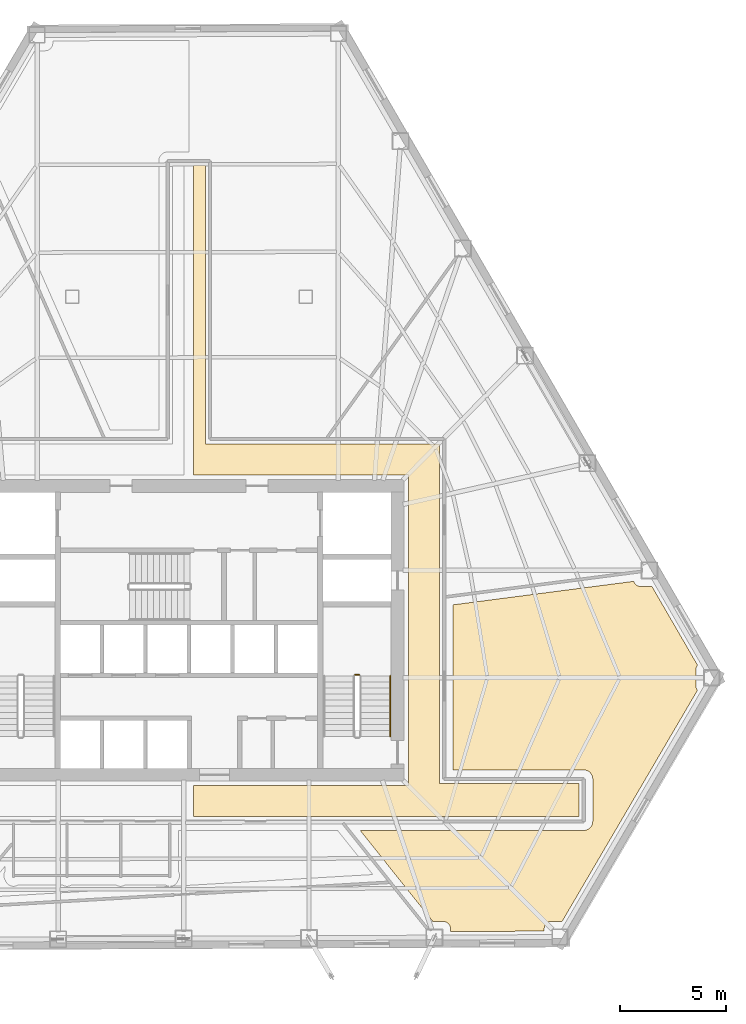
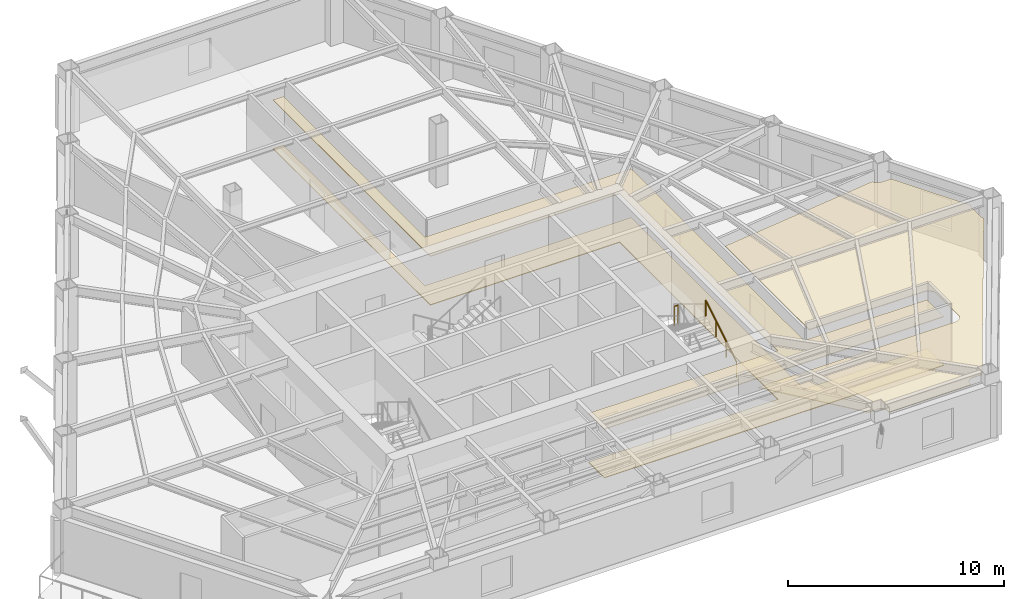
# One storey, part 14 of 15: 3 coverings, 2 railings.
"""IFC4 building model written with IfcOpenShell, lengths in metres."""

from ifc_helpers import new_model, si_unit, direction, frame, origin, origin_2d, place, context, subcontext, project, spatial, polyline, circle, outline, extrude, material, layer, layer_set, type_object, element, save


model = new_model("IFC4")

# Units and contexts
model_context = context("Model", 3, precision=1e-05, world=origin(), true_north=direction((0.0, 1.0)))
body_context = subcontext(model_context, "Body", "Model", "MODEL_VIEW")
ifc_project = project(units=[si_unit("LENGTHUNIT", "METRE"), si_unit("AREAUNIT", "SQUARE_METRE"), si_unit("VOLUMEUNIT", "CUBIC_METRE"), si_unit("PLANEANGLEUNIT", "RADIAN"), si_unit("MASSUNIT", "GRAM", prefix="KILO")], contexts=[model_context])

# Site, building, storey
site_placement = place(None, origin())
site = spatial("IfcSite", under=ifc_project, at=site_placement, CompositionType="ELEMENT")
building_placement = place(site_placement, origin())
building = spatial("IfcBuilding", under=site, at=building_placement, Name="Kavelnor Concourse Tower", CompositionType="ELEMENT")
storey_placement = place(building_placement, frame((0.0, 0.0, 67.60009765625)))
storey = spatial("IfcBuildingStorey", under=building, at=storey_placement, Name="L17", CompositionType="ELEMENT", Elevation=67.60009765625)

# Coverings
ifc_material_1 = material(Name="Mineral fibre acoustic ceiling tile")
ifc_layer_1 = layer(ifc_material_1, 0.0400390625, Name="Mineral fibre acoustic ceiling tile")
ifc_layer_set_1 = layer_set([ifc_layer_1], Name="Mineral fibre acoustic ceiling tile")
covering_type_1 = type_object("IfcCoveringType", Name="COV-CEILING-ACOUSTIC", PredefinedType="CEILING", material=ifc_layer_set_1)
covering_1_placement = place(storey_placement, frame((0.0, 0.0, 2.75)))
element("IfcCovering", 1, at=covering_1_placement, inside=storey, type_object=covering_type_1, Name="L17 Suspended Acoustic Ceiling", PredefinedType="CEILING", context=body_context, shape_type="SweptSolid", body=[
    extrude(outline(polyline([(38.780029296875, 37.97998046875), (38.780029296875, 24.8798828125), (49.800048828125, 24.8798828125), (49.800048828125, 8.8798828125), (56.371826171875, 8.8798828125), (56.371826171875, 7.320068359375), (38.22509765625, 7.320068359375), (38.22509765625, 8.780029296875), (48.340087890625, 8.780029296875), (48.340087890625, 23.419921875), (38.22509765625, 23.419921875), (38.22509765625, 37.97998046875), (38.780029296875, 37.97998046875)])), origin(), (0.0, 0.0, 1.0), 0.039794921875),
])
covering_2_placement = place(storey_placement, frame((0.0, 0.0, 2.75)))
element("IfcCovering", 2, at=covering_2_placement, inside=storey, type_object=covering_type_1, Name="L17 Suspended Acoustic Ceiling", PredefinedType="CEILING", context=body_context, shape_type="SweptSolid", body=[
    extrude(outline(polyline([(49.978515625, 6.67919921875), (50.01171875, 6.677490234375), (56.60009765625, 6.677490234375), (56.63330078125, 6.67919921875), (56.67431640625, 6.685302734375), (56.714599609375, 6.6953125), (56.753662109375, 6.709228515625), (56.791259765625, 6.72705078125), (56.826904296875, 6.748291015625), (56.860107421875, 6.773193359375), (56.890869140625, 6.801025390625), (56.918701171875, 6.831787109375), (56.943359375, 6.864990234375), (56.96484375, 6.900634765625), (56.982421875, 6.938232421875), (56.99658203125, 6.977294921875), (57.006591796875, 7.017578125), (57.0126953125, 7.05859375), (57.014404296875, 7.091796875), (57.014404296875, 9.1083984375), (57.0126953125, 9.1416015625), (57.006591796875, 9.1826171875), (56.99658203125, 9.222900390625), (56.982421875, 9.26171875), (56.96484375, 9.29931640625), (56.943359375, 9.3349609375), (56.918701171875, 9.368408203125), (56.890869140625, 9.39892578125), (56.860107421875, 9.427001953125), (56.826904296875, 9.45166015625), (56.791259765625, 9.472900390625), (56.753662109375, 9.49072265625), (56.714599609375, 9.504638671875), (56.67431640625, 9.514892578125), (56.63330078125, 9.52099609375), (56.60009765625, 9.5224609375), (50.4423828125, 9.5224609375), (50.4423828125, 17.2998046875), (58.94482421875, 18.405517578125), (58.953125, 18.38232421875), (58.96826171875, 18.350341796875), (58.986328125, 18.320068359375), (59.007568359375, 18.291748046875), (59.03125, 18.265380859375), (59.0576171875, 18.24169921875), (59.0859375, 18.220703125), (59.1162109375, 18.202392578125), (59.148193359375, 18.187255859375), (59.181396484375, 18.17529296875), (59.2158203125, 18.166748046875), (59.250732421875, 18.16162109375), (59.27783203125, 18.160400390625), (59.802978515625, 18.160400390625), (61.947021484375, 14.460693359375), (61.93603515625, 14.44580078125), (61.917724609375, 14.415283203125), (61.902587890625, 14.38330078125), (61.890869140625, 14.35009765625), (61.882080078125, 14.31591796875), (61.876953125, 14.28076171875), (61.875732421875, 14.25390625), (61.875732421875, 13.477294921875), (61.876953125, 13.4501953125), (61.882080078125, 13.415283203125), (61.890869140625, 13.380859375), (61.902587890625, 13.34765625), (61.917724609375, 13.315673828125), (61.93603515625, 13.285400390625), (61.944580078125, 13.273681640625), (55.5751953125, 2.397216796875), (55.077880859375, 2.397216796875), (55.051025390625, 2.395751953125), (55.01611328125, 2.390625), (54.981689453125, 2.382080078125), (54.948486328125, 2.3701171875), (54.91650390625, 2.35498046875), (54.885986328125, 2.3369140625), (54.857666015625, 2.315673828125), (54.83154296875, 2.2919921875), (54.8076171875, 2.265625), (54.78662109375, 2.2373046875), (54.768310546875, 2.20703125), (54.75341796875, 2.175048828125), (54.741455078125, 2.1416015625), (54.73291015625, 2.107421875), (54.7275390625, 2.072509765625), (54.726318359375, 2.04541015625), (54.726318359375, 1.93359375), (50.319091796875, 1.913818359375), (50.319091796875, 2.038818359375), (50.317626953125, 2.06591796875), (50.3125, 2.100830078125), (50.303955078125, 2.135009765625), (50.2919921875, 2.16845703125), (50.27685546875, 2.200439453125), (50.2587890625, 2.230712890625), (50.237548828125, 2.259033203125), (50.2138671875, 2.285400390625), (50.1875, 2.30908203125), (50.1591796875, 2.330078125), (50.12890625, 2.348388671875), (50.096923828125, 2.363525390625), (50.063720703125, 2.37548828125), (50.029296875, 2.384033203125), (49.994384765625, 2.38916015625), (49.96728515625, 2.390380859375), (49.48291015625, 2.390380859375), (46.058349609375, 6.677490234375), (49.92822265625, 6.677490234375), (49.96142578125, 6.67919921875), (49.969970703125, 6.680419921875), (49.978515625, 6.67919921875)])), origin(), (0.0, 0.0, 1.0), 0.039794921875),
])
ifc_material_2 = material(Name="Honed bluestone and raised access floor finish", Category="masonry")
ifc_layer_2 = layer(ifc_material_2, 0.0400390625, Name="Honed bluestone and raised access floor finish")
ifc_layer_set_2 = layer_set([ifc_layer_2], Name="Honed bluestone and raised access floor finish")
covering_type_2 = type_object("IfcCoveringType", Name="COV-FLOOR-STONE", PredefinedType="FLOORING", material=ifc_layer_set_2)
covering_3_placement = place(storey_placement, frame((0.0, 0.0, 0.001953125)))
element("IfcCovering", 3, at=covering_3_placement, inside=storey, type_object=covering_type_2, Name="L17 Honed Bluestone Floor Finish", PredefinedType="FLOORING", context=body_context, shape_type="SweptSolid", body=[
    extrude(outline(polyline([(38.780029296875, 37.97998046875), (38.780029296875, 24.8798828125), (49.800048828125, 24.8798828125), (49.800048828125, 8.8798828125), (56.371826171875, 8.8798828125), (56.371826171875, 7.320068359375), (38.22509765625, 7.320068359375), (38.22509765625, 8.780029296875), (48.340087890625, 8.780029296875), (48.340087890625, 23.419921875), (38.22509765625, 23.419921875), (38.22509765625, 37.97998046875), (38.780029296875, 37.97998046875)])), origin(), (0.0, 0.0, 1.0), 0.0400390625),
])

# Railings
ifc_material_3 = material(Name="Steel Grade 350", Category="steel")
railing_type_1 = type_object("IfcRailingType", Name="RLG-GUARD-1100", PredefinedType="GUARDRAIL", material=ifc_material_3)
railing_1_placement = place(storey_placement, frame((46.02001953125, 14.0, 1.9248046875)))
element("IfcRailing", 4, at=railing_1_placement, inside=storey, type_object=railing_type_1, Name="L17 ST2 stair guard 2", PredefinedType="GUARDRAIL", context=body_context, shape_type="SweptSolid", body=[
    extrude(circle(Radius=0.02392578125, at=origin_2d()), frame((0.0, 0.0, 1.076171875), z_axis=(-1.0, 0.0, 0.0), x_axis=(0.0, -1.0, 0.0)), (0.0, 0.0, 1.0), 0.199951171875),
    extrude(circle(Radius=0.02099609375, at=origin_2d()), origin(), (0.0, 0.0, 1.0), 1.052001953125),
    extrude(circle(Radius=0.02099609375, at=origin_2d()), frame((-0.199951171875, 0.0, 0.0)), (0.0, 0.0, 1.0), 1.052001953125),
])
railing_type_2 = type_object("IfcRailingType", Name="RLG-HANDRAIL-900", PredefinedType="HANDRAIL", material=ifc_material_3)
railing_2_placement = place(storey_placement, frame((47.469970703125, 11.10009765625, 0.1748046875)))
element("IfcRailing", 5, at=railing_2_placement, inside=storey, type_object=railing_type_2, Name="L17 ST2 stair handrail 1", PredefinedType="HANDRAIL", context=body_context, shape_type="SweptSolid", body=[
    extrude(circle(Radius=0.02392578125, at=origin_2d()), frame((0.0, 0.0, 0.8759765625), z_axis=(0.0, 0.852159232446, 0.523282564737), x_axis=(-1.0, 0.0, 0.0)), (0.0, 0.0, 1.0), 3.34423828125),
    extrude(circle(Radius=0.02099609375, at=origin_2d()), origin(), (0.0, 0.0, 1.0), 0.851806640625),
    extrude(circle(Radius=0.02099609375, at=origin_2d()), frame((0.0, 0.949951171875, 0.583251953125)), (0.0, 0.0, 1.0), 0.851806640625),
    extrude(circle(Radius=0.02099609375, at=origin_2d()), frame((0.0, 1.89990234375, 1.166748046875)), (0.0, 0.0, 1.0), 0.851806640625),
    extrude(circle(Radius=0.02099609375, at=origin_2d()), frame((0.0, 2.849853515625, 1.75)), (0.0, 0.0, 1.0), 0.851806640625),
])

save(model, "model.ifc")
